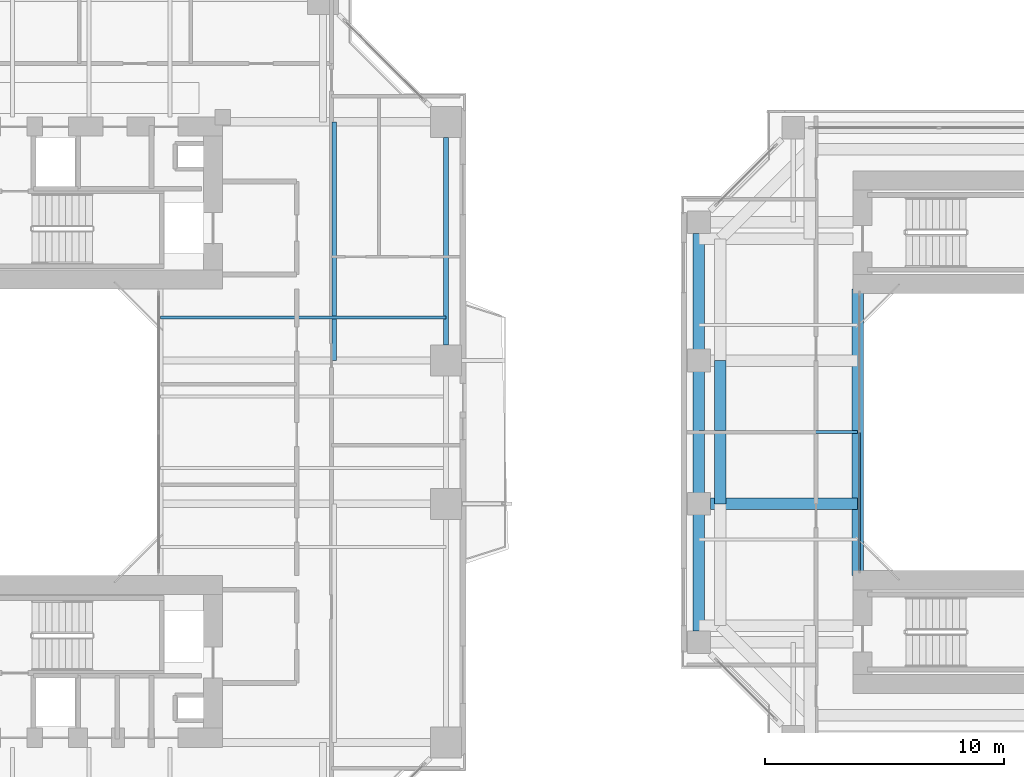
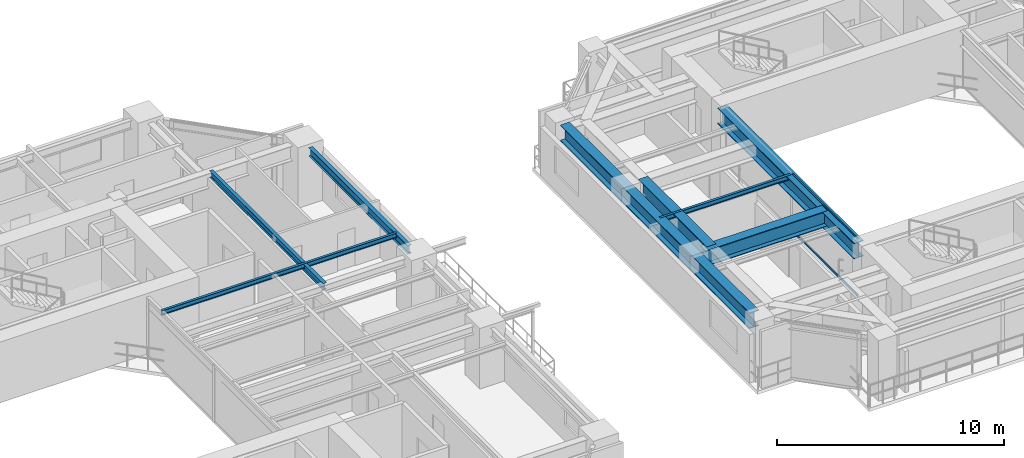
# One storey, part 8 of 23: 8 beams, 2 members, 1 element without a shape of its own.
"""IFC4 building model written with IfcOpenShell, lengths in metres."""

import ifcopenshell
import ifcopenshell.guid

model = None  # the IFC model being written
_history = None  # IfcOwnerHistory: only IFC2X3 demands one
_inside = {}  # id of a spatial element -> (the spatial element, [elements in it])
_under = {}  # id of a project, library or spatial element -> (it, [spatial elements below it])
_declared = {}  # id of a project -> (the project, [libraries it declares])
_typed = {}  # id of a type object -> (the type object, [elements of that type])
_made_of = {}  # id of a material, layer set ... -> (it, [elements and type objects made of it])


def new_model(schema):
    """Start an empty IFC model of exactly this schema.

    Asked for "IFC4X3", IfcOpenShell would pick the latest addendum, in which some entities
    have other attributes; the version numbers below select the first issue.
    IFC2X3 requires an IfcOwnerHistory on every rooted entity: one is made here for all.
    """
    global model, _history
    if schema == "IFC4X3":
        model = ifcopenshell.file(schema_version=(4, 3, 0, 0))
    else:
        model = ifcopenshell.file(schema=schema)
    _inside.clear()
    _under.clear()
    _declared.clear()
    _typed.clear()
    _made_of.clear()
    _history = None
    if model.schema == "IFC2X3":
        org = make("IfcOrganization", Name="unknown")
        user = make(
            "IfcPersonAndOrganization",
            ThePerson=make("IfcPerson", FamilyName="unknown"),
            TheOrganization=org,
        )
        app = make(
            "IfcApplication",
            ApplicationDeveloper=org,
            Version="unknown",
            ApplicationFullName="unknown",
            ApplicationIdentifier="unknown",
        )
        _history = make(
            "IfcOwnerHistory",
            OwningUser=user,
            OwningApplication=app,
            ChangeAction="ADDED",
            CreationDate=0,
        )
    return model


def make(cls, **values):
    """One entity of the class cls with the attributes given. An attribute that is None is left unset."""
    return model.create_entity(
        cls, **{name: value for name, value in values.items() if value is not None}
    )


def rooted(cls, **values):
    """An entity with a GlobalId (a new one), such as an element, a storey or a relation."""
    return make(cls, GlobalId=ifcopenshell.guid.new(), OwnerHistory=_history, **values)


def si_unit(unit_type, name, prefix=None):
    """IfcSIUnit, for example si_unit("LENGTHUNIT", "METRE", prefix="MILLI")."""
    return make("IfcSIUnit", UnitType=unit_type, Prefix=prefix, Name=name)


def assignment(units):
    """IfcUnitAssignment: the units of a project."""
    return None if units is None else make("IfcUnitAssignment", Units=units)


def point(xyz):
    """IfcCartesianPoint."""
    return None if xyz is None else make("IfcCartesianPoint", Coordinates=xyz)


def direction(xyz):
    """IfcDirection."""
    return None if xyz is None else make("IfcDirection", DirectionRatios=xyz)


def frame(location, z_axis=None, x_axis=None):
    """IfcAxis2Placement3D, a coordinate frame: its origin and axes. An axis left out is left unset."""
    return make(
        "IfcAxis2Placement3D",
        Location=point(location),
        Axis=direction(z_axis),
        RefDirection=direction(x_axis),
    )


def frame_2d(location, x_axis=None):
    """IfcAxis2Placement2D, a coordinate frame in the plane: its origin and x axis."""
    return make(
        "IfcAxis2Placement2D", Location=point(location), RefDirection=direction(x_axis)
    )


def origin():
    """The frame at (0, 0, 0) with its axes left unset."""
    return frame((0.0, 0.0, 0.0))


def origin_2d():
    """The frame at (0, 0) in the plane with its x axis left unset."""
    return frame_2d((0.0, 0.0))


def place(relative_to, where):
    """IfcLocalPlacement: puts the frame where relative to a parent placement (None: the world)."""
    return make(
        "IfcLocalPlacement", PlacementRelTo=relative_to, RelativePlacement=where
    )


def context(
    kind, dimensions, precision=None, world=None, true_north=None, identifier=None
):
    """IfcGeometricRepresentationContext, for example the 3D "Model" context."""
    return make(
        "IfcGeometricRepresentationContext",
        ContextIdentifier=identifier,
        ContextType=kind,
        CoordinateSpaceDimension=dimensions,
        Precision=precision,
        WorldCoordinateSystem=world,
        TrueNorth=true_north,
    )


def subcontext(parent, identifier, kind, view, scale=None):
    """IfcGeometricRepresentationSubContext, for example "Body" below "Model"."""
    return make(
        "IfcGeometricRepresentationSubContext",
        ContextIdentifier=identifier,
        ContextType=kind,
        ParentContext=parent,
        TargetScale=scale,
        TargetView=view,
    )


def project(units=None, contexts=None):
    """IfcProject with its units and contexts."""
    return rooted(
        "IfcProject",
        Name="project",
        RepresentationContexts=contexts,
        UnitsInContext=assignment(units),
    )


def spatial(cls, under=None, at=None, **own):
    """A site, building, storey or space (cls), placed at a placement, below another one or the project."""
    s = rooted(cls, ObjectPlacement=at, **own)
    if under is not None:
        _under.setdefault(under.id(), (under, []))[1].append(s)
    return s


def profile(cls, at=None, kind="AREA", **sizes):
    """A parametric profile (cls). Its sizes go by their IFC names, for example OverallWidth=200.0."""
    return make(cls, ProfileType=kind, Position=at, **sizes)


def rectangle(**sizes):
    """IfcRectangleProfileDef."""
    return profile("IfcRectangleProfileDef", **sizes)


def i_section(**sizes):
    """IfcIShapeProfileDef."""
    return profile("IfcIShapeProfileDef", **sizes)


def extrude(swept, where, along, depth):
    """IfcExtrudedAreaSolid: the profile swept, set in the frame where, extruded along a direction by depth."""
    return make(
        "IfcExtrudedAreaSolid",
        SweptArea=swept,
        Position=where,
        ExtrudedDirection=direction(along),
        Depth=depth,
    )


def shape(context_of_items, identifier, shape_type, items):
    """IfcShapeRepresentation: the items that make up one representation, for example the "Body"."""
    return make(
        "IfcShapeRepresentation",
        ContextOfItems=context_of_items,
        RepresentationIdentifier=identifier,
        RepresentationType=shape_type,
        Items=items,
    )


def source(mapping_origin, context_of_items, identifier, shape_type, items):
    """IfcRepresentationMap: a shape defined once, which mapped items show again and again."""
    return make(
        "IfcRepresentationMap",
        MappingOrigin=mapping_origin,
        MappedRepresentation=shape(context_of_items, identifier, shape_type, items),
    )


def transform(
    local_origin,
    x_axis=None,
    y_axis=None,
    z_axis=None,
    scale=None,
    scale2=None,
    scale3=None,
    uniform=True,
):
    """IfcCartesianTransformationOperator3D, or its non-uniform kind. x_axis, y_axis, z_axis: its Axis1, 2, 3."""
    if uniform:
        return make(
            "IfcCartesianTransformationOperator3D",
            Axis1=direction(x_axis),
            Axis2=direction(y_axis),
            LocalOrigin=point(local_origin),
            Scale=scale,
            Axis3=direction(z_axis),
        )
    return make(
        "IfcCartesianTransformationOperator3DnonUniform",
        Axis1=direction(x_axis),
        Axis2=direction(y_axis),
        LocalOrigin=point(local_origin),
        Scale=scale,
        Axis3=direction(z_axis),
        Scale2=scale2,
        Scale3=scale3,
    )


def mapped(mapping_source, mapping_target):
    """IfcMappedItem: shows the shape of a source again, moved by a transform."""
    return make(
        "IfcMappedItem", MappingSource=mapping_source, MappingTarget=mapping_target
    )


def material(Name=None, Category=None):
    """IfcMaterial."""
    return make("IfcMaterial", Name=Name, Category=Category)


def layer(
    of_material, thickness, ventilated=None, Name=None, Category=None, Priority=None
):
    """IfcMaterialLayer: one layer of a wall or slab, of a material (None: an air gap)."""
    return make(
        "IfcMaterialLayer",
        Material=of_material,
        LayerThickness=thickness,
        IsVentilated=ventilated,
        Name=Name,
        Category=Category,
        Priority=Priority,
    )


def layer_set(layers, Name=None):
    """IfcMaterialLayerSet."""
    return make("IfcMaterialLayerSet", MaterialLayers=layers, LayerSetName=Name)


def material_profile(
    of_material, cross_section, Name=None, Category=None, Priority=None
):
    """IfcMaterialProfile: a cross section and its material."""
    return make(
        "IfcMaterialProfile",
        Name=Name,
        Material=of_material,
        Profile=cross_section,
        Priority=Priority,
        Category=Category,
    )


def profile_set(profiles, Name=None, composite=None):
    """IfcMaterialProfileSet."""
    return make(
        "IfcMaterialProfileSet",
        Name=Name,
        MaterialProfiles=profiles,
        CompositeProfile=composite,
    )


def made_of(thing, what):
    """Note that an element or type object is made of a material, layer set ...; save() writes the relation."""
    if what is not None:
        _made_of.setdefault(what.id(), (what, []))[1].append(thing)
    return thing


def type_object(cls, material=None, **own):
    """A type object (cls), such as IfcWallType, which elements share."""
    return made_of(rooted(cls, **own), material)


def element(
    cls,
    number,
    at=None,
    inside=None,
    cuts=None,
    type_object=None,
    material=None,
    context=None,
    identifier="Body",
    shape_type=None,
    held_by="IfcProductDefinitionShape",
    body=None,
    shapes=None,
    **own,
):
    """One element of the class cls, such as IfcWall. Its Tag is "e" and its number.

    at: its placement. inside: the storey or other place that contains it. cuts: it is an
    opening in that element (IfcRelVoidsElement). A single representation is given by context,
    identifier, shape_type and body (its items); several are given by shapes. held_by: the class
    of the entity that holds the representations. save() writes the other relations.
    """
    e = rooted(cls, Tag="e%d" % number, ObjectPlacement=at, **own)
    if body is not None:
        shapes = [shape(context, identifier, shape_type, body)]
    if shapes is not None:
        e.Representation = make(held_by, Representations=shapes)
    if inside is not None:
        _inside.setdefault(inside.id(), (inside, []))[1].append(e)
    if cuts is not None:
        rooted(
            "IfcRelVoidsElement", RelatingBuildingElement=cuts, RelatedOpeningElement=e
        )
    if type_object is not None:
        _typed.setdefault(type_object.id(), (type_object, []))[1].append(e)
    return made_of(e, material)


def aggregate(whole, parts):
    """IfcRelAggregates: a whole, such as a stair, and the parts it consists of."""
    return rooted("IfcRelAggregates", RelatingObject=whole, RelatedObjects=parts)


def save(model, path):
    """Write the relations noted so far, then the file.

    IfcRelAggregates (storeys below a building ...), IfcRelContainedInSpatialStructure (elements
    in a storey), IfcRelDefinesByType, IfcRelAssociatesMaterial and IfcRelDeclares: one each for
    every whole, place, type object, material and project.
    """
    for whole, parts in _under.values():
        aggregate(whole, parts)
    for where, things in _inside.values():
        rooted(
            "IfcRelContainedInSpatialStructure",
            RelatedElements=things,
            RelatingStructure=where,
        )
    for kind, things in _typed.values():
        rooted("IfcRelDefinesByType", RelatedObjects=things, RelatingType=kind)
    for what, things in _made_of.values():
        rooted("IfcRelAssociatesMaterial", RelatedObjects=things, RelatingMaterial=what)
    for by, libraries in _declared.values():
        rooted("IfcRelDeclares", RelatingContext=by, RelatedDefinitions=libraries)
    model.write(path)


model = new_model("IFC4")

# Units and contexts
model_context = context("Model", 3, precision=1e-05, world=origin(), true_north=direction((0.0, 1.0)))
body_context = subcontext(model_context, "Body", "Model", "MODEL_VIEW")
ifc_project = project(units=[si_unit("LENGTHUNIT", "METRE"), si_unit("AREAUNIT", "SQUARE_METRE"), si_unit("VOLUMEUNIT", "CUBIC_METRE"), si_unit("PLANEANGLEUNIT", "RADIAN"), si_unit("MASSUNIT", "GRAM", prefix="KILO"), si_unit("THERMODYNAMICTEMPERATUREUNIT", "KELVIN"), si_unit("POWERUNIT", "WATT")], contexts=[model_context])

# Site, building, storey
site_placement = place(None, origin())
site = spatial("IfcSite", under=ifc_project, at=site_placement, CompositionType="ELEMENT")
building_placement = place(site_placement, origin())
building = spatial("IfcBuilding", under=site, at=building_placement, Name="Qiaomeng Ring Towers", CompositionType="ELEMENT")
storey_placement = place(building_placement, frame((0.0, 0.0, 66.5)))
storey = spatial("IfcBuildingStorey", under=building, at=storey_placement, Name="L18", CompositionType="ELEMENT", Elevation=66.5)

# Beams
ifc_material_1 = material(Name="Steel Q355B", Category="steel")
ifc_material_profile_1 = material_profile(ifc_material_1, i_section(OverallWidth=0.199951171875, OverallDepth=0.449951171875, WebThickness=0.009033203125, FlangeThickness=0.013916015625, FilletRadius=0.01806640625, at=origin_2d()), Name="HN 450x200x9x14")
ifc_profile_set_1 = profile_set([ifc_material_profile_1], Name="Steel Q355B")
beam_type_1 = type_object("IfcBeamType", Name="STR-BM-HN450", PredefinedType="SPANDREL", material=ifc_profile_set_1)
shared_shape_1 = source(origin(), body_context, "Body", "SweptSolid", [
    extrude(i_section(OverallWidth=0.199951171875, OverallDepth=0.449951171875, WebThickness=0.009033203125, FlangeThickness=0.013916015625, FilletRadius=0.01806640625, at=origin_2d()), origin(), (0.0, 0.0, 1.0), 8.7021484375),
])
beam_1_placement = place(storey_placement, frame((37.14990234375, 26.64892578125, 2.844970703125), z_axis=(0.0, 1.0, 0.0), x_axis=(-1.0, 0.0, 0.0)))
element("IfcBeam", 1, at=beam_1_placement, inside=storey, type_object=beam_type_1, Name="L18 beam STR-SP-L18-T1-E3-E4", PredefinedType="SPANDREL", context=body_context, shape_type="MappedRepresentation", body=[
    mapped(shared_shape_1, transform((0.0, 0.0, 0.0), x_axis=(1.0, 0.0, 0.0), y_axis=(0.0, 1.0, 0.0), z_axis=(0.0, 0.0, 1.0), scale=1.0)),
])
ifc_material_profile_2 = material_profile(ifc_material_1, i_section(OverallWidth=0.125, OverallDepth=0.25, WebThickness=0.006103515625, FlangeThickness=0.009033203125, FilletRadius=0.011962890625, at=origin_2d()), Name="HN 250x125x6x9")
ifc_profile_set_2 = profile_set([ifc_material_profile_2], Name="Steel Q355B")
beam_type_2 = type_object("IfcBeamType", Name="STR-BM-HN250", PredefinedType="JOIST", material=ifc_profile_set_2)
shared_shape_2 = source(origin(), body_context, "Body", "SweptSolid", [
    extrude(i_section(OverallWidth=0.125, OverallDepth=0.25, WebThickness=0.006103515625, FlangeThickness=0.009033203125, FilletRadius=0.011962890625, at=origin_2d()), origin(), (0.0, 0.0, 1.0), 11.949951171875),
])
beam_2_placement = place(storey_placement, frame((25.199951171875, 27.800048828125, 2.945068359375), z_axis=(1.0, 0.0, 0.0), x_axis=(0.0, 1.0, 0.0)))
element("IfcBeam", 2, at=beam_2_placement, inside=storey, type_object=beam_type_2, Name="L18 beam STR-JST-L18-T1E-4", PredefinedType="JOIST", context=body_context, shape_type="MappedRepresentation", body=[
    mapped(shared_shape_2, transform((0.0, 0.0, 0.0), x_axis=(1.0, 0.0, 0.0), y_axis=(0.0, 1.0, 0.0), z_axis=(0.0, 0.0, 1.0), scale=1.0)),
])
ifc_material_profile_3 = material_profile(ifc_material_1, i_section(OverallWidth=0.175048828125, OverallDepth=0.35009765625, WebThickness=0.007080078125, FlangeThickness=0.010986328125, FilletRadius=0.013916015625, at=origin_2d()), Name="HN 350x175x7x11")
ifc_profile_set_3 = profile_set([ifc_material_profile_3], Name="Steel Q355B")
beam_type_3 = type_object("IfcBeamType", Name="STR-BM-HN350", PredefinedType="JOIST", material=ifc_profile_set_3)
shared_shape_3 = source(origin(), body_context, "Body", "SweptSolid", [
    extrude(i_section(OverallWidth=0.175048828125, OverallDepth=0.35009765625, WebThickness=0.007080078125, FlangeThickness=0.010986328125, FilletRadius=0.013916015625, at=origin_2d()), origin(), (0.0, 0.0, 1.0), 10.0),
])
beam_3_placement = place(storey_placement, frame((32.47509765625, 26.0, 2.89501953125), z_axis=(0.0, 1.0, 0.0), x_axis=(-1.0, 0.0, 0.0)))
element("IfcBeam", 3, at=beam_3_placement, inside=storey, type_object=beam_type_3, Name="L18 beam STR-JST-L18-T1C-EN", PredefinedType="JOIST", context=body_context, shape_type="MappedRepresentation", body=[
    mapped(shared_shape_3, transform((0.0, 0.0, 0.0), x_axis=(1.0, 0.0, 0.0), y_axis=(0.0, 1.0, 0.0), z_axis=(0.0, 0.0, 1.0), scale=1.0)),
])
shared_shape_4 = source(origin(), body_context, "Body", "SweptSolid", [
    extrude(i_section(OverallWidth=0.125, OverallDepth=0.25, WebThickness=0.006103515625, FlangeThickness=0.009033203125, FilletRadius=0.011962890625, at=origin_2d()), origin(), (0.0, 0.0, 1.0), 6.64990234375),
])
beam_4_placement = place(storey_placement, frame((47.75, 23.0, 2.945068359375), z_axis=(1.0, 0.0, 0.0), x_axis=(0.0, 1.0, 0.0)))
element("IfcBeam", 4, at=beam_4_placement, inside=storey, type_object=beam_type_2, Name="L18 beam STR-JST-L18-T2W-2", PredefinedType="JOIST", context=body_context, shape_type="MappedRepresentation", body=[
    mapped(shared_shape_4, transform((0.0, 0.0, 0.0), x_axis=(1.0, 0.0, 0.0), y_axis=(0.0, 1.0, 0.0), z_axis=(0.0, 0.0, 1.0), scale=1.0)),
])
ifc_material_2 = material(Name="Steel Q390GJC", Category="steel")
ifc_material_profile_4 = material_profile(ifc_material_2, i_section(OverallWidth=0.47998046875, OverallDepth=0.85009765625, WebThickness=0.02197265625, FlangeThickness=0.035888671875, at=origin_2d()), Name="WH 850x480x22x36")
ifc_profile_set_4 = profile_set([ifc_material_profile_4], Name="Steel Q390GJC")
beam_type_4 = type_object("IfcBeamType", Name="STR-TG-WH850", PredefinedType="USERDEFINED", material=ifc_profile_set_4)
shared_shape_5 = source(origin(), body_context, "Body", "SweptSolid", [
    extrude(i_section(OverallWidth=0.47998046875, OverallDepth=0.85009765625, WebThickness=0.02197265625, FlangeThickness=0.035888671875, at=origin_2d()), origin(), (0.0, 0.0, 1.0), 16.65185546875),
])
beam_5_placement = place(storey_placement, frame((47.75, 14.674072265625, 2.64501953125), z_axis=(0.0, 1.0, 0.0), x_axis=(-1.0, 0.0, 0.0)))
element("IfcBeam", 5, at=beam_5_placement, inside=storey, type_object=beam_type_4, Name="L18 Transfer Girder STR-TG3-L18-T2-OUT-W", ObjectType="TRANSFER GIRDER", PredefinedType="USERDEFINED", context=body_context, shape_type="MappedRepresentation", body=[
    mapped(shared_shape_5, transform((0.0, 0.0, 0.0), x_axis=(1.0, 0.0, 0.0), y_axis=(0.0, 1.0, 0.0), z_axis=(0.0, 0.0, 1.0), scale=1.0)),
])
shared_shape_6 = source(origin(), body_context, "Body", "SweptSolid", [
    extrude(i_section(OverallWidth=0.47998046875, OverallDepth=0.85009765625, WebThickness=0.02197265625, FlangeThickness=0.035888671875, at=origin_2d()), origin(), (0.0, 0.0, 1.0), 12.0),
])
beam_6_placement = place(storey_placement, frame((54.39990234375, 17.0, 2.64501953125), z_axis=(0.0, 1.0, 0.0), x_axis=(-1.0, 0.0, 0.0)))
element("IfcBeam", 6, at=beam_6_placement, inside=storey, type_object=beam_type_4, Name="L18 Transfer Girder STR-TG3-L18-T2-WELL-W", ObjectType="TRANSFER GIRDER", PredefinedType="USERDEFINED", context=body_context, shape_type="MappedRepresentation", body=[
    mapped(shared_shape_6, transform((0.0, 0.0, 0.0), x_axis=(1.0, 0.0, 0.0), y_axis=(0.0, 1.0, 0.0), z_axis=(0.0, 0.0, 1.0), scale=1.0)),
])
shared_shape_7 = source(origin(), body_context, "Body", "SweptSolid", [
    extrude(i_section(OverallWidth=0.47998046875, OverallDepth=0.85009765625, WebThickness=0.02197265625, FlangeThickness=0.035888671875, at=origin_2d()), origin(), (0.0, 0.0, 1.0), 6.17578125),
])
beam_7_placement = place(storey_placement, frame((48.22412109375, 20.0, 2.64501953125), z_axis=(1.0, 0.0, 0.0), x_axis=(0.0, 1.0, 0.0)))
element("IfcBeam", 7, at=beam_7_placement, inside=storey, type_object=beam_type_4, Name="L18 Transfer Girder STR-TG3-L18-T2-W2", ObjectType="TRANSFER GIRDER", PredefinedType="USERDEFINED", context=body_context, shape_type="MappedRepresentation", body=[
    mapped(shared_shape_7, transform((0.0, 0.0, 0.0), x_axis=(1.0, 0.0, 0.0), y_axis=(0.0, 1.0, 0.0), z_axis=(0.0, 0.0, 1.0), scale=1.0)),
])
ifc_material_profile_5 = material_profile(ifc_material_2, i_section(OverallWidth=0.47998046875, OverallDepth=1.60009765625, WebThickness=0.02197265625, FlangeThickness=0.035888671875, at=origin_2d()), Name="WH 1600x480x22x36")
ifc_profile_set_5 = profile_set([ifc_material_profile_5], Name="Steel Q390GJC")
beam_type_5 = type_object("IfcBeamType", Name="STR-TG-WH1600", PredefinedType="USERDEFINED", material=ifc_profile_set_5)
shared_shape_8 = source(origin(), body_context, "Body", "SweptSolid", [
    extrude(i_section(OverallWidth=0.47998046875, OverallDepth=1.60009765625, WebThickness=0.02197265625, FlangeThickness=0.035888671875, at=origin_2d()), origin(), (0.0, 0.0, 1.0), 6.0),
])
beam_8_placement = place(storey_placement, frame((48.64990234375, 26.0, 2.27001953125), z_axis=(0.0, -1.0, 0.0), x_axis=(1.0, 0.0, 0.0)))
element("IfcBeam", 8, at=beam_8_placement, inside=storey, type_object=beam_type_5, Name="L18 Transfer Girder STR-TG3-L18-T2-W3-W2", ObjectType="TRANSFER GIRDER", PredefinedType="USERDEFINED", context=body_context, shape_type="MappedRepresentation", body=[
    mapped(shared_shape_8, transform((0.0, 0.0, 0.0), x_axis=(1.0, 0.0, 0.0), y_axis=(0.0, 1.0, 0.0), z_axis=(0.0, 0.0, 1.0), scale=1.0)),
])

# Curtain wall, members
ifc_material_3 = material(Name="Fluorocarbon dark-grey aluminium", Category="aluminium")
ifc_layer = layer(ifc_material_3, 0.139892578125, Name="Fluorocarbon dark-grey aluminium")
ifc_layer_set = layer_set([ifc_layer], Name="Fluorocarbon dark-grey aluminium")
curtain_wall_type = type_object("IfcCurtainWallType", Name="ARC-CW-4", PredefinedType="NOTDEFINED", material=ifc_layer_set)
curtain_wall_placement = place(storey_placement, origin())
curtain_wall = element("IfcCurtainWall", 9, at=curtain_wall_placement, inside=storey, type_object=curtain_wall_type, Name="L18 Curtain Wall CW4", PredefinedType="NOTDEFINED")
ifc_material_profile_6 = material_profile(ifc_material_3, rectangle(XDim=0.06494140625, YDim=0.1298828125, at=origin_2d()), Name="ALU TRAN 65x130")
ifc_profile_set_6 = profile_set([ifc_material_profile_6], Name="Fluorocarbon dark-grey aluminium")
member_type = type_object("IfcMemberType", Name="ARC-CWT-120", PredefinedType="USERDEFINED", material=ifc_profile_set_6)
shared_shape_9 = source(origin(), body_context, "Body", "SweptSolid", [
    extrude(rectangle(XDim=0.06494140625, YDim=0.1298828125, at=origin_2d()), origin(), (0.0, 0.0, 1.0), 5.75244140625),
])
member_1_placement = place(storey_placement, frame((54.47998046875, 17.215087890625, 0.032470703125), z_axis=(0.0, 1.0, 0.0), x_axis=(-1.0, 0.0, 0.0)))
member_1 = element("IfcMember", 10, at=member_1_placement, type_object=member_type, Name="CW4 transom 1.1", ObjectType="TRANSOM", PredefinedType="USERDEFINED", context=body_context, shape_type="MappedRepresentation", body=[
    mapped(shared_shape_9, transform((0.0, 0.0, 0.0), x_axis=(1.0, 0.0, 0.0), y_axis=(0.0, 1.0, 0.0), z_axis=(0.0, 0.0, 1.0), scale=1.0)),
])
member_2_placement = place(storey_placement, frame((54.47998046875, 17.215087890625, 3.03759765625), z_axis=(0.0, 1.0, 0.0), x_axis=(-1.0, 0.0, 0.0)))
member_2 = element("IfcMember", 11, at=member_2_placement, type_object=member_type, Name="CW4 transom 1.2", ObjectType="TRANSOM", PredefinedType="USERDEFINED", context=body_context, shape_type="MappedRepresentation", body=[
    mapped(shared_shape_9, transform((0.0, 0.0, 0.0), x_axis=(1.0, 0.0, 0.0), y_axis=(0.0, 1.0, 0.0), z_axis=(0.0, 0.0, 1.0), scale=1.0)),
])
aggregate(curtain_wall, [member_1, member_2])

save(model, "model.ifc")
